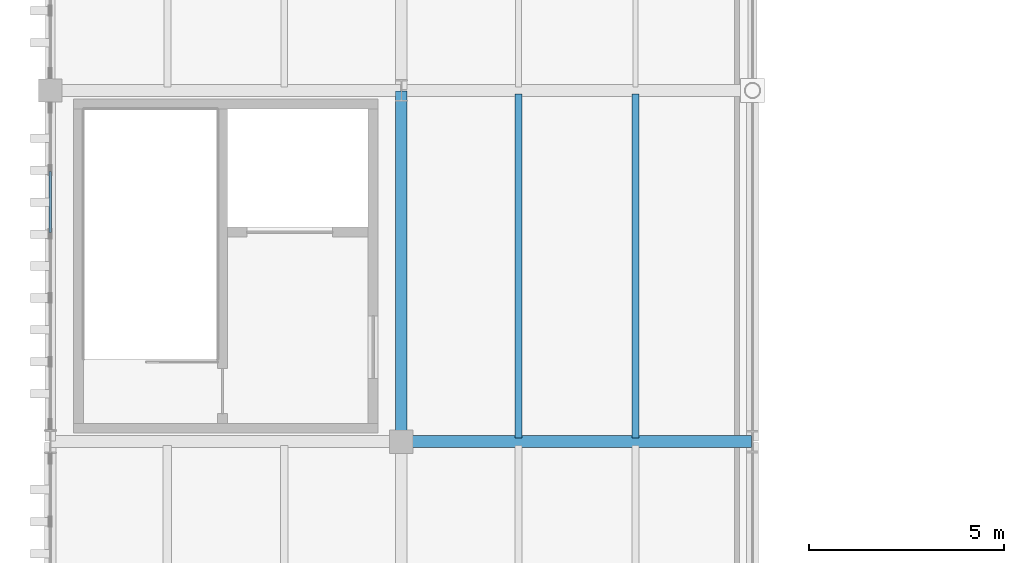
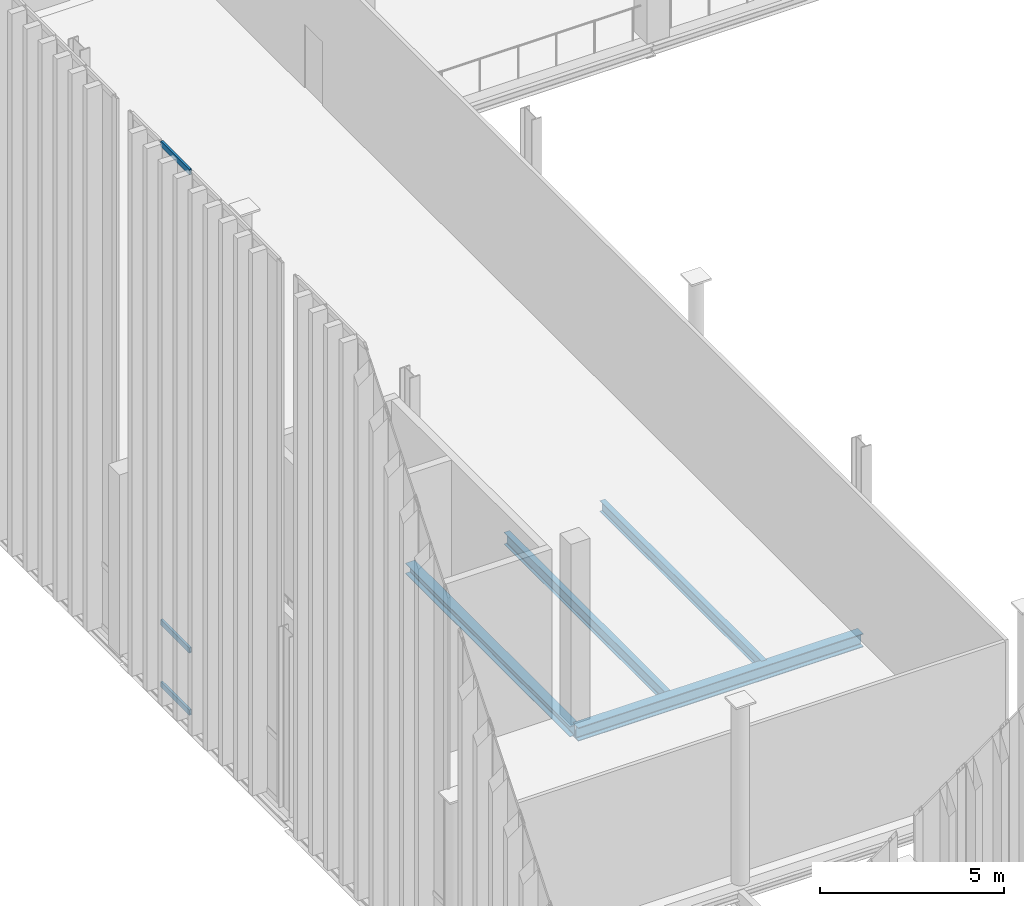
# One storey, part 39 of 237: 4 beams, 3 members, 1 element without a shape of its own.
"""IFC4 building model written with IfcOpenShell, lengths in metres."""

from ifc_helpers import new_model, si_unit, direction, frame, origin, origin_2d, place, context, subcontext, project, spatial, hollow_rectangle, i_section, extrude, material, layer, layer_set, material_profile, profile_set, type_object, element, aggregate, save


model = new_model("IFC4")

# Units and contexts
model_context = context("Model", 3, precision=1e-05, world=origin(), true_north=direction((0.0, 1.0)))
body_context = subcontext(model_context, "Body", "Model", "MODEL_VIEW")
ifc_project = project(units=[si_unit("LENGTHUNIT", "METRE"), si_unit("AREAUNIT", "SQUARE_METRE"), si_unit("VOLUMEUNIT", "CUBIC_METRE"), si_unit("PLANEANGLEUNIT", "RADIAN"), si_unit("MASSUNIT", "GRAM", prefix="KILO")], contexts=[model_context])

# Site, building, storey
site_placement = place(None, origin())
site = spatial("IfcSite", under=ifc_project, at=site_placement, CompositionType="ELEMENT")
building_placement = place(site_placement, origin())
building = spatial("IfcBuilding", under=site, at=building_placement, Name="Barlavento Convention Centre", CompositionType="ELEMENT")
storey_placement = place(building_placement, frame((0.0, 0.0, 12.0)))
storey = spatial("IfcBuildingStorey", under=building, at=storey_placement, Name="L02", CompositionType="ELEMENT", Elevation=12.0)

# Curtain wall, members
ifc_material_1 = material(Name="Powder-coated aluminium and Low-E glass", Category="aluminium")
ifc_layer = layer(ifc_material_1, 0.18994140625)
ifc_layer_set = layer_set([ifc_layer], Name="ARC-CW-CONG-L02")
curtain_wall_type = type_object("IfcCurtainWallType", Name="ARC-CW-CONG-L02", PredefinedType="NOTDEFINED", material=ifc_layer_set)
curtain_wall_placement = place(storey_placement, origin())
curtain_wall = element("IfcCurtainWall", 1, at=curtain_wall_placement, inside=storey, type_object=curtain_wall_type, Name="L02 unitised curtain wall CW02", PredefinedType="NOTDEFINED")
ifc_material_2 = material(Name="Powder-coated aluminium", Category="aluminium")
ifc_material_profile_1 = material_profile(ifc_material_2, hollow_rectangle(XDim=0.070068359375, YDim=0.179931640625, WallThickness=0.0048828125, at=origin_2d()), Name="AL-TRAN 70x180x5")
ifc_profile_set_1 = profile_set([ifc_material_profile_1], Name="Powder-coated aluminium")
member_type = type_object("IfcMemberType", Name="ARC-CWT-70X180", PredefinedType="USERDEFINED", material=ifc_profile_set_1)
member_1_placement = place(storey_placement, frame((0.0, 23.3564453125, 0.034912109375), z_axis=(0.0, 1.0, 0.0), x_axis=(-1.0, 0.0, 0.0)))
member_1 = element("IfcMember", 2, at=member_1_placement, type_object=member_type, Name="CW02 transom 4.1", ObjectType="TRANSOM", PredefinedType="USERDEFINED", context=body_context, shape_type="SweptSolid", body=[
    extrude(hollow_rectangle(XDim=0.070068359375, YDim=0.179931640625, WallThickness=0.0048828125, at=origin_2d()), origin(), (0.0, 0.0, 1.0), 1.56298828125),
])
member_2_placement = place(storey_placement, frame((0.0, 23.3564453125, 2.10009765625), z_axis=(0.0, 1.0, 0.0), x_axis=(-1.0, 0.0, 0.0)))
member_2 = element("IfcMember", 3, at=member_2_placement, type_object=member_type, Name="CW02 transom 4.2", ObjectType="TRANSOM", PredefinedType="USERDEFINED", context=body_context, shape_type="SweptSolid", body=[
    extrude(hollow_rectangle(XDim=0.070068359375, YDim=0.179931640625, WallThickness=0.0048828125, at=origin_2d()), origin(), (0.0, 0.0, 1.0), 1.56298828125),
])
member_3_placement = place(storey_placement, frame((0.0, 23.3564453125, 18.001953125), z_axis=(0.0, 1.0, 0.0), x_axis=(-1.0, 0.0, 0.0)))
member_3 = element("IfcMember", 4, at=member_3_placement, type_object=member_type, Name="CW02 transom 4.3", ObjectType="TRANSOM", PredefinedType="USERDEFINED", context=body_context, shape_type="SweptSolid", body=[
    extrude(hollow_rectangle(XDim=0.070068359375, YDim=0.179931640625, WallThickness=0.0048828125, at=origin_2d()), origin(), (0.0, 0.0, 1.0), 1.56298828125),
])
aggregate(curtain_wall, [member_1, member_2, member_3])

# Beams
ifc_material_3 = material(Name="Steel S355", Category="steel")
ifc_material_profile_2 = material_profile(ifc_material_3, i_section(OverallWidth=0.169921875, OverallDepth=0.360107421875, WebThickness=0.008056640625, FlangeThickness=0.0126953125, FilletRadius=0.01806640625, at=origin_2d()), Name="IPE 360")
ifc_profile_set_2 = profile_set([ifc_material_profile_2], Name="Steel S355")
beam_type_1 = type_object("IfcBeamType", Name="STR-BM-JST-IPE360", PredefinedType="JOIST", material=ifc_profile_set_2)
beam_1_placement = place(storey_placement, frame((15.0, 18.094970703125, -0.47998046875), z_axis=(0.0, 1.0, 0.0), x_axis=(-1.0, 0.0, 0.0)))
element("IfcBeam", 5, at=beam_1_placement, inside=storey, type_object=beam_type_1, Name="L02 composite floor joist SJ05", PredefinedType="JOIST", context=body_context, shape_type="SweptSolid", body=[
    extrude(i_section(OverallWidth=0.169921875, OverallDepth=0.360107421875, WebThickness=0.008056640625, FlangeThickness=0.0126953125, FilletRadius=0.01806640625, at=origin_2d()), origin(), (0.0, 0.0, 1.0), 8.81005859375),
])
ifc_material_profile_3 = material_profile(ifc_material_3, i_section(OverallWidth=0.179931640625, OverallDepth=0.39990234375, WebThickness=0.008544921875, FlangeThickness=0.013427734375, FilletRadius=0.02099609375, at=origin_2d()), Name="IPE 400")
ifc_profile_set_3 = profile_set([ifc_material_profile_3], Name="Steel S355")
beam_type_2 = type_object("IfcBeamType", Name="STR-BM-JST-IPE400", PredefinedType="JOIST", material=ifc_profile_set_3)
beam_2_placement = place(storey_placement, frame((12.0, 18.094970703125, -0.5), z_axis=(0.0, 1.0, 0.0), x_axis=(-1.0, 0.0, 0.0)))
element("IfcBeam", 6, at=beam_2_placement, inside=storey, type_object=beam_type_2, Name="L02 composite floor joist SJ04", PredefinedType="JOIST", context=body_context, shape_type="SweptSolid", body=[
    extrude(i_section(OverallWidth=0.179931640625, OverallDepth=0.39990234375, WebThickness=0.008544921875, FlangeThickness=0.013427734375, FilletRadius=0.02099609375, at=origin_2d()), origin(), (0.0, 0.0, 1.0), 8.81005859375),
])
ifc_material_profile_4 = material_profile(ifc_material_3, i_section(OverallWidth=0.300048828125, OverallDepth=0.35009765625, WebThickness=0.010009765625, FlangeThickness=0.017578125, FilletRadius=0.027099609375, at=origin_2d()), Name="HEA 360")
ifc_profile_set_4 = profile_set([ifc_material_profile_4], Name="Steel S355")
beam_type_3 = type_object("IfcBeamType", Name="STR-BM-PRI-HEA360", PredefinedType="BEAM", material=ifc_profile_set_4)
beam_3_placement = place(storey_placement, frame((9.0, 18.02001953125, -0.47509765625), z_axis=(0.0, 1.0, 0.0), x_axis=(-1.0, 0.0, 0.0)))
element("IfcBeam", 7, at=beam_3_placement, inside=storey, type_object=beam_type_3, Name="L02 grid girder BG23", PredefinedType="BEAM", context=body_context, shape_type="SweptSolid", body=[
    extrude(i_section(OverallWidth=0.300048828125, OverallDepth=0.35009765625, WebThickness=0.010009765625, FlangeThickness=0.017578125, FilletRadius=0.027099609375, at=origin_2d()), origin(), (0.0, 0.0, 1.0), 8.9599609375),
])
ifc_material_profile_5 = material_profile(ifc_material_3, i_section(OverallWidth=0.300048828125, OverallDepth=0.449951171875, WebThickness=0.013916015625, FlangeThickness=0.02587890625, FilletRadius=0.027099609375, at=origin_2d()), Name="HEB 450")
ifc_profile_set_5 = profile_set([ifc_material_profile_5], Name="Steel S355")
beam_type_4 = type_object("IfcBeamType", Name="STR-BM-PRI-HEB450", PredefinedType="BEAM", material=ifc_profile_set_5)
beam_4_placement = place(storey_placement, frame((9.02001953125, 18.0, -0.52490234375), z_axis=(1.0, 0.0, 0.0), x_axis=(0.0, 1.0, 0.0)))
element("IfcBeam", 8, at=beam_4_placement, inside=storey, type_object=beam_type_4, Name="L02 primary girder BG10", PredefinedType="BEAM", context=body_context, shape_type="SweptSolid", body=[
    extrude(i_section(OverallWidth=0.300048828125, OverallDepth=0.449951171875, WebThickness=0.013916015625, FlangeThickness=0.02587890625, FilletRadius=0.027099609375, at=origin_2d()), origin(), (0.0, 0.0, 1.0), 8.9599609375),
])

save(model, "model.ifc")
